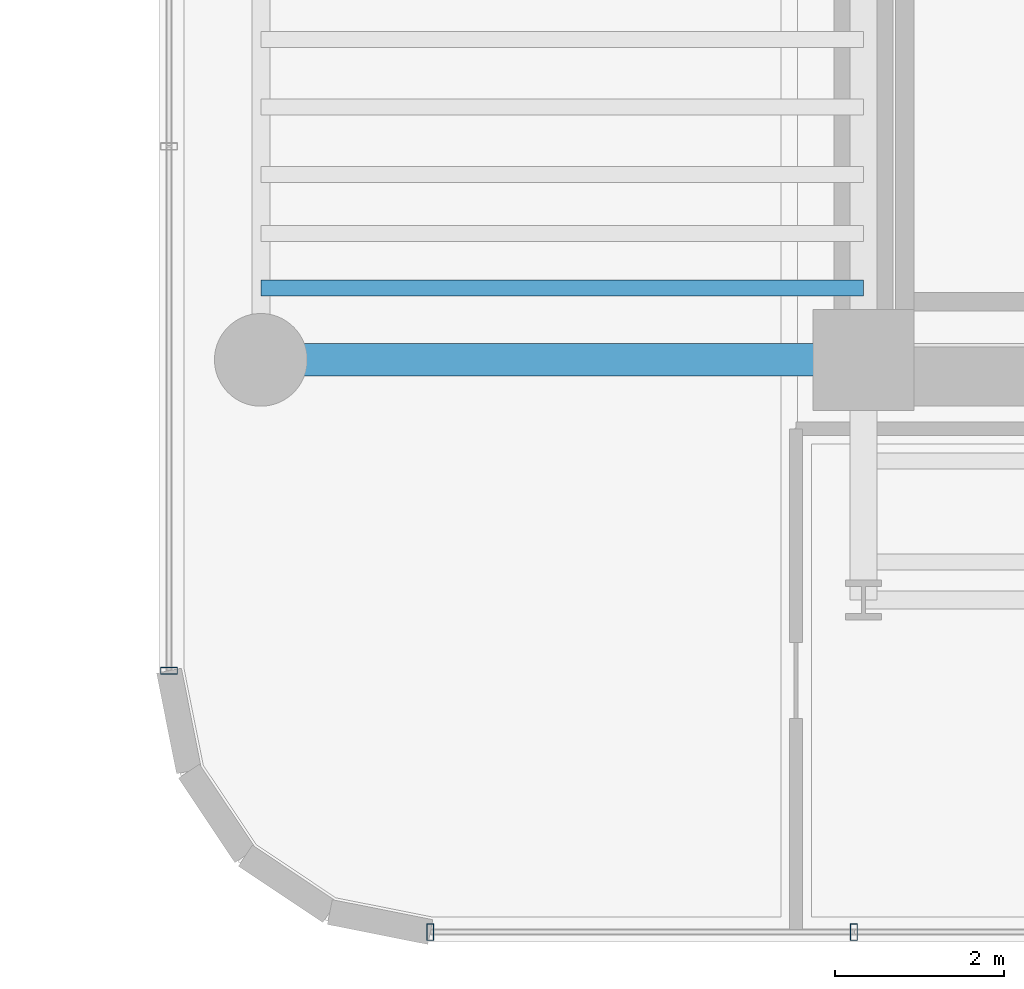
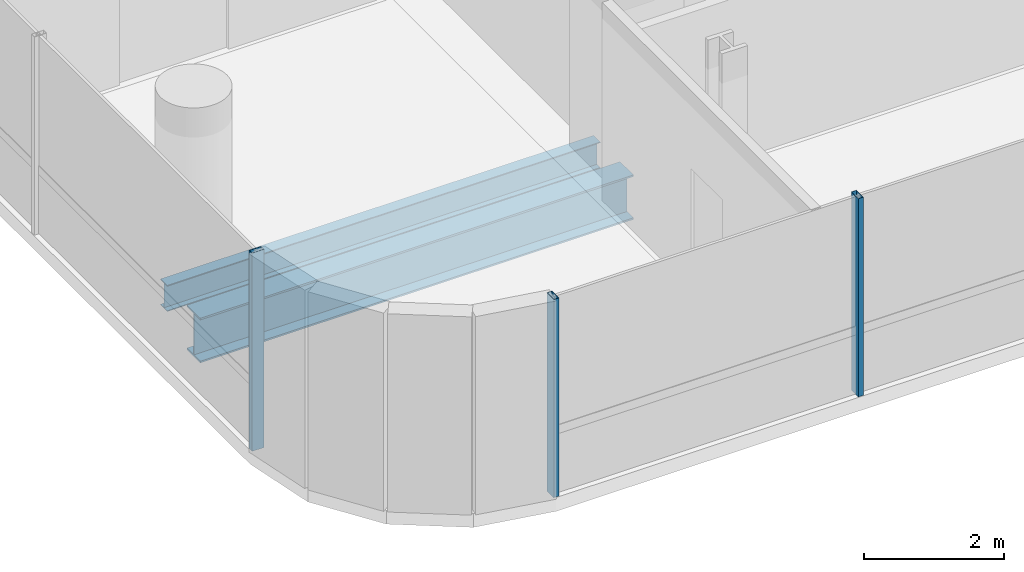
# One storey, part 2 of 35: 3 members, 2 beams, 2 elements without a shape of their own.
"""IFC4 building model written with IfcOpenShell, lengths in metres."""

from ifc_helpers import new_model, si_unit, direction, frame, origin, origin_2d, place, context, subcontext, project, spatial, hollow_rectangle, i_section, extrude, source, transform, mapped, material, material_profile, profile_set, type_object, element, aggregate, save


model = new_model("IFC4")

# Units and contexts
model_context = context("Model", 3, precision=1e-05, world=origin(), true_north=direction((0.0, 1.0)))
body_context = subcontext(model_context, "Body", "Model", "MODEL_VIEW")
ifc_project = project(units=[si_unit("LENGTHUNIT", "METRE"), si_unit("AREAUNIT", "SQUARE_METRE"), si_unit("VOLUMEUNIT", "CUBIC_METRE"), si_unit("PLANEANGLEUNIT", "RADIAN"), si_unit("MASSUNIT", "GRAM", prefix="KILO")], contexts=[model_context])

# Site, building, storey
site_placement = place(None, origin())
site = spatial("IfcSite", under=ifc_project, at=site_placement, CompositionType="ELEMENT")
building_placement = place(site_placement, origin())
building = spatial("IfcBuilding", under=site, at=building_placement, Name="Valdorenza Pilgrim Sanctuary Tower", CompositionType="ELEMENT")
storey_placement = place(building_placement, frame((0.0, 0.0, 124.199951171875)))
storey = spatial("IfcBuildingStorey", under=building, at=storey_placement, Name="L31", CompositionType="ELEMENT", Elevation=124.199951171875)

# Beams
ifc_material_1 = material(Name="Steel ASTM A992 Grade 50", Category="steel")
ifc_material_profile_1 = material_profile(ifc_material_1, i_section(OverallWidth=0.382080078125, OverallDepth=0.779052734375, WebThickness=0.01806640625, FlangeThickness=0.030029296875, at=origin_2d()), Name="W30X191")
ifc_profile_set_1 = profile_set([ifc_material_profile_1], Name="Steel ASTM A992 Grade 50")
beam_type_1 = type_object("IfcBeamType", Name="STR-BM-GRD-W30", PredefinedType="BEAM", material=ifc_profile_set_1)
shared_shape_1 = source(origin(), body_context, "Body", "SweptSolid", [
    extrude(i_section(OverallWidth=0.382080078125, OverallDepth=0.779052734375, WebThickness=0.01806640625, FlangeThickness=0.030029296875, at=origin_2d()), origin(), (0.0, 0.0, 1.0), 7.150146484375),
])
beam_1_placement = place(storey_placement, frame((-29.800048828125, -10.60009765625, -0.62939453125), z_axis=(1.0, 0.0, 0.0), x_axis=(0.0, 1.0, 0.0)))
element("IfcBeam", 1, at=beam_1_placement, inside=storey, type_object=beam_type_1, Name="L31 Floor Girder WA-XW-S1", PredefinedType="BEAM", context=body_context, shape_type="MappedRepresentation", body=[
    mapped(shared_shape_1, transform((0.0, 0.0, 0.0), x_axis=(1.0, 0.0, 0.0), y_axis=(0.0, 1.0, 0.0), z_axis=(0.0, 0.0, 1.0), scale=1.0)),
])
ifc_material_profile_2 = material_profile(ifc_material_1, i_section(OverallWidth=0.19091796875, OverallDepth=0.45703125, WebThickness=0.009033203125, FlangeThickness=0.014404296875, at=origin_2d()), Name="W18X50")
ifc_profile_set_2 = profile_set([ifc_material_profile_2], Name="Steel ASTM A992 Grade 50")
beam_type_2 = type_object("IfcBeamType", Name="STR-BM-JST-W18B", PredefinedType="JOIST", material=ifc_profile_set_2)
shared_shape_2 = source(origin(), body_context, "Body", "SweptSolid", [
    extrude(i_section(OverallWidth=0.19091796875, OverallDepth=0.45703125, WebThickness=0.009033203125, FlangeThickness=0.014404296875, at=origin_2d()), origin(), (0.0, 0.0, 1.0), 7.150146484375),
])
beam_2_placement = place(storey_placement, frame((-29.800048828125, -9.75, -0.468505859375), z_axis=(1.0, 0.0, 0.0), x_axis=(0.0, 1.0, 0.0)))
element("IfcBeam", 2, at=beam_2_placement, inside=storey, type_object=beam_type_2, Name="L31 Composite Floor Joist JST-WA-1", PredefinedType="JOIST", context=body_context, shape_type="MappedRepresentation", body=[
    mapped(shared_shape_2, transform((0.0, 0.0, 0.0), x_axis=(1.0, 0.0, 0.0), y_axis=(0.0, 1.0, 0.0), z_axis=(0.0, 0.0, 1.0), scale=1.0)),
])

# Curtain wall, member
ifc_material_2 = material(Name="Curtain-wall IGU glazing", Category="glass")
curtain_wall_type = type_object("IfcCurtainWallType", Name="CW-SYS-02", PredefinedType="NOTDEFINED", material=ifc_material_2)
curtain_wall_1_placement = place(storey_placement, origin())
curtain_wall_1 = element("IfcCurtainWall", 3, at=curtain_wall_1_placement, inside=storey, type_object=curtain_wall_type, Name="L31 Curtain Wall CW-L31-1-1S1", PredefinedType="NOTDEFINED")
ifc_material_3 = material(Name="Anodised aluminium AW-6060", Category="aluminium")
ifc_material_profile_3 = material_profile(ifc_material_3, hollow_rectangle(XDim=0.0849609375, YDim=0.199951171875, WallThickness=0.0048828125, at=origin_2d()), Name="ALU-M 200x85x5")
ifc_profile_set_3 = profile_set([ifc_material_profile_3], Name="Anodised aluminium AW-6060")
member_type = type_object("IfcMemberType", Name="CW-MUL-02", PredefinedType="MULLION", material=ifc_profile_set_3)
shared_shape_3 = source(origin(), body_context, "Body", "SweptSolid", [
    extrude(hollow_rectangle(XDim=0.0849609375, YDim=0.199951171875, WallThickness=0.0048828125, at=origin_2d()), origin(), (0.0, 0.0, 1.0), 3.4599609375),
])
member_1_placement = place(storey_placement, frame((-30.889892578125, -14.289306640625, 0.0), z_axis=(0.0, 0.0, 1.0), x_axis=(0.0, 1.0, 0.0)))
member_1 = element("IfcMember", 4, at=member_1_placement, type_object=member_type, Name="CW-L31-1-1S1 Mullion 1", PredefinedType="MULLION", context=body_context, shape_type="MappedRepresentation", body=[
    mapped(shared_shape_3, transform((0.0, 0.0, 0.0), x_axis=(1.0, 0.0, 0.0), y_axis=(0.0, 1.0, 0.0), z_axis=(0.0, 0.0, 1.0), scale=1.0)),
])
aggregate(curtain_wall_1, [member_1])

# Curtain wall, members
curtain_wall_2_placement = place(storey_placement, origin())
curtain_wall_2 = element("IfcCurtainWall", 5, at=curtain_wall_2_placement, inside=storey, type_object=curtain_wall_type, Name="L31 Curtain Wall CW-L31-1-46", PredefinedType="NOTDEFINED")
member_2_placement = place(storey_placement, frame((-22.76318359375, -17.389892578125, 0.0), z_axis=(0.0, 0.0, 1.0), x_axis=(-1.0, 0.0, 0.0)))
member_2 = element("IfcMember", 6, at=member_2_placement, type_object=member_type, Name="CW-L31-1-46 Mullion 3", PredefinedType="MULLION", context=body_context, shape_type="MappedRepresentation", body=[
    mapped(shared_shape_3, transform((0.0, 0.0, 0.0), x_axis=(1.0, 0.0, 0.0), y_axis=(0.0, 1.0, 0.0), z_axis=(0.0, 0.0, 1.0), scale=1.0)),
])
member_3_placement = place(storey_placement, frame((-27.789306640625, -17.389892578125, 0.0), z_axis=(0.0, 0.0, 1.0), x_axis=(-1.0, 0.0, 0.0)))
member_3 = element("IfcMember", 7, at=member_3_placement, type_object=member_type, Name="CW-L31-1-46 Mullion 4", PredefinedType="MULLION", context=body_context, shape_type="MappedRepresentation", body=[
    mapped(shared_shape_3, transform((0.0, 0.0, 0.0), x_axis=(1.0, 0.0, 0.0), y_axis=(0.0, 1.0, 0.0), z_axis=(0.0, 0.0, 1.0), scale=1.0)),
])
aggregate(curtain_wall_2, [member_2, member_3])

save(model, "model.ifc")
